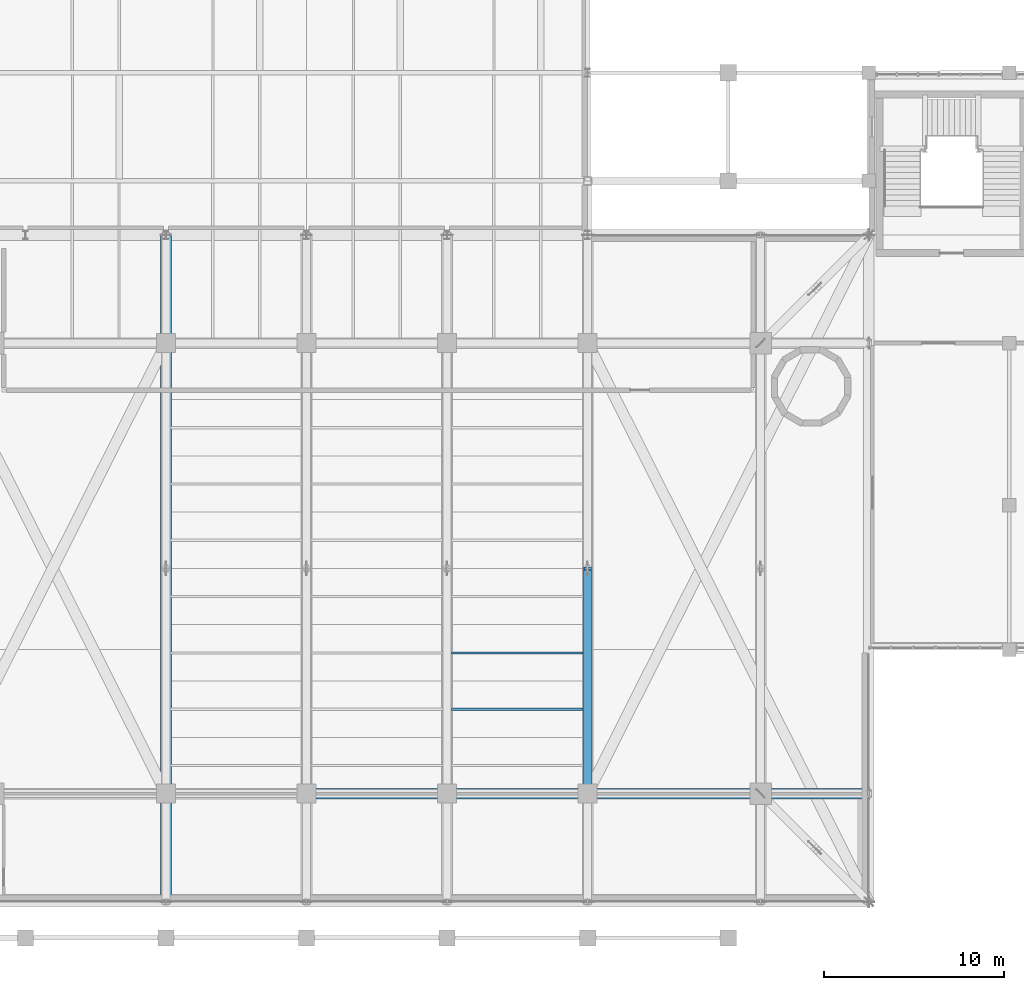
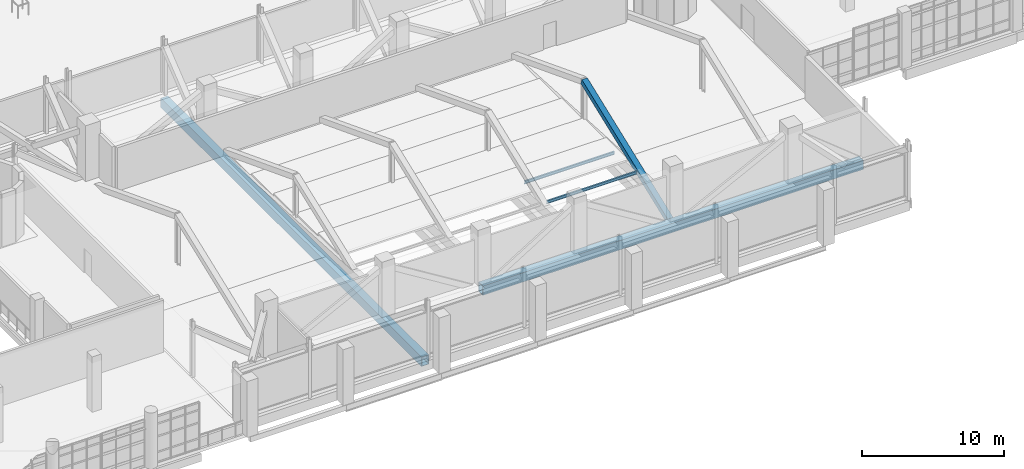
# One storey, part 43 of 127: 4 beams, 1 member.
"""IFC4 building model written with IfcOpenShell, lengths in metres."""

import ifcopenshell
import ifcopenshell.guid

model = None  # the IFC model being written
_history = None  # IfcOwnerHistory: only IFC2X3 demands one
_inside = {}  # id of a spatial element -> (the spatial element, [elements in it])
_under = {}  # id of a project, library or spatial element -> (it, [spatial elements below it])
_declared = {}  # id of a project -> (the project, [libraries it declares])
_typed = {}  # id of a type object -> (the type object, [elements of that type])
_made_of = {}  # id of a material, layer set ... -> (it, [elements and type objects made of it])


def new_model(schema):
    """Start an empty IFC model of exactly this schema.

    Asked for "IFC4X3", IfcOpenShell would pick the latest addendum, in which some entities
    have other attributes; the version numbers below select the first issue.
    IFC2X3 requires an IfcOwnerHistory on every rooted entity: one is made here for all.
    """
    global model, _history
    if schema == "IFC4X3":
        model = ifcopenshell.file(schema_version=(4, 3, 0, 0))
    else:
        model = ifcopenshell.file(schema=schema)
    _inside.clear()
    _under.clear()
    _declared.clear()
    _typed.clear()
    _made_of.clear()
    _history = None
    if model.schema == "IFC2X3":
        org = make("IfcOrganization", Name="unknown")
        user = make(
            "IfcPersonAndOrganization",
            ThePerson=make("IfcPerson", FamilyName="unknown"),
            TheOrganization=org,
        )
        app = make(
            "IfcApplication",
            ApplicationDeveloper=org,
            Version="unknown",
            ApplicationFullName="unknown",
            ApplicationIdentifier="unknown",
        )
        _history = make(
            "IfcOwnerHistory",
            OwningUser=user,
            OwningApplication=app,
            ChangeAction="ADDED",
            CreationDate=0,
        )
    return model


def make(cls, **values):
    """One entity of the class cls with the attributes given. An attribute that is None is left unset."""
    return model.create_entity(
        cls, **{name: value for name, value in values.items() if value is not None}
    )


def rooted(cls, **values):
    """An entity with a GlobalId (a new one), such as an element, a storey or a relation."""
    return make(cls, GlobalId=ifcopenshell.guid.new(), OwnerHistory=_history, **values)


def si_unit(unit_type, name, prefix=None):
    """IfcSIUnit, for example si_unit("LENGTHUNIT", "METRE", prefix="MILLI")."""
    return make("IfcSIUnit", UnitType=unit_type, Prefix=prefix, Name=name)


def derived_unit(unit_type, elements):
    """IfcDerivedUnit: a product of units, each with its exponent."""
    return make(
        "IfcDerivedUnit",
        Elements=[
            make("IfcDerivedUnitElement", Unit=unit, Exponent=power)
            for unit, power in elements
        ],
        UnitType=unit_type,
    )


def assignment(units):
    """IfcUnitAssignment: the units of a project."""
    return None if units is None else make("IfcUnitAssignment", Units=units)


def point(xyz):
    """IfcCartesianPoint."""
    return None if xyz is None else make("IfcCartesianPoint", Coordinates=xyz)


def direction(xyz):
    """IfcDirection."""
    return None if xyz is None else make("IfcDirection", DirectionRatios=xyz)


def frame(location, z_axis=None, x_axis=None):
    """IfcAxis2Placement3D, a coordinate frame: its origin and axes. An axis left out is left unset."""
    return make(
        "IfcAxis2Placement3D",
        Location=point(location),
        Axis=direction(z_axis),
        RefDirection=direction(x_axis),
    )


def frame_2d(location, x_axis=None):
    """IfcAxis2Placement2D, a coordinate frame in the plane: its origin and x axis."""
    return make(
        "IfcAxis2Placement2D", Location=point(location), RefDirection=direction(x_axis)
    )


def origin():
    """The frame at (0, 0, 0) with its axes left unset."""
    return frame((0.0, 0.0, 0.0))


def origin_2d():
    """The frame at (0, 0) in the plane with its x axis left unset."""
    return frame_2d((0.0, 0.0))


def place(relative_to, where):
    """IfcLocalPlacement: puts the frame where relative to a parent placement (None: the world)."""
    return make(
        "IfcLocalPlacement", PlacementRelTo=relative_to, RelativePlacement=where
    )


def context(
    kind, dimensions, precision=None, world=None, true_north=None, identifier=None
):
    """IfcGeometricRepresentationContext, for example the 3D "Model" context."""
    return make(
        "IfcGeometricRepresentationContext",
        ContextIdentifier=identifier,
        ContextType=kind,
        CoordinateSpaceDimension=dimensions,
        Precision=precision,
        WorldCoordinateSystem=world,
        TrueNorth=true_north,
    )


def subcontext(parent, identifier, kind, view, scale=None):
    """IfcGeometricRepresentationSubContext, for example "Body" below "Model"."""
    return make(
        "IfcGeometricRepresentationSubContext",
        ContextIdentifier=identifier,
        ContextType=kind,
        ParentContext=parent,
        TargetScale=scale,
        TargetView=view,
    )


def project(units=None, contexts=None):
    """IfcProject with its units and contexts."""
    return rooted(
        "IfcProject",
        Name="project",
        RepresentationContexts=contexts,
        UnitsInContext=assignment(units),
    )


def spatial(cls, under=None, at=None, **own):
    """A site, building, storey or space (cls), placed at a placement, below another one or the project."""
    s = rooted(cls, ObjectPlacement=at, **own)
    if under is not None:
        _under.setdefault(under.id(), (under, []))[1].append(s)
    return s


def profile(cls, at=None, kind="AREA", **sizes):
    """A parametric profile (cls). Its sizes go by their IFC names, for example OverallWidth=200.0."""
    return make(cls, ProfileType=kind, Position=at, **sizes)


def hollow_rectangle(**sizes):
    """IfcRectangleHollowProfileDef."""
    return profile("IfcRectangleHollowProfileDef", **sizes)


def i_section(**sizes):
    """IfcIShapeProfileDef."""
    return profile("IfcIShapeProfileDef", **sizes)


def extrude(swept, where, along, depth):
    """IfcExtrudedAreaSolid: the profile swept, set in the frame where, extruded along a direction by depth."""
    return make(
        "IfcExtrudedAreaSolid",
        SweptArea=swept,
        Position=where,
        ExtrudedDirection=direction(along),
        Depth=depth,
    )


def shape(context_of_items, identifier, shape_type, items):
    """IfcShapeRepresentation: the items that make up one representation, for example the "Body"."""
    return make(
        "IfcShapeRepresentation",
        ContextOfItems=context_of_items,
        RepresentationIdentifier=identifier,
        RepresentationType=shape_type,
        Items=items,
    )


def material(Name=None, Category=None):
    """IfcMaterial."""
    return make("IfcMaterial", Name=Name, Category=Category)


def material_profile(
    of_material, cross_section, Name=None, Category=None, Priority=None
):
    """IfcMaterialProfile: a cross section and its material."""
    return make(
        "IfcMaterialProfile",
        Name=Name,
        Material=of_material,
        Profile=cross_section,
        Priority=Priority,
        Category=Category,
    )


def profile_set(profiles, Name=None, composite=None):
    """IfcMaterialProfileSet."""
    return make(
        "IfcMaterialProfileSet",
        Name=Name,
        MaterialProfiles=profiles,
        CompositeProfile=composite,
    )


def made_of(thing, what):
    """Note that an element or type object is made of a material, layer set ...; save() writes the relation."""
    if what is not None:
        _made_of.setdefault(what.id(), (what, []))[1].append(thing)
    return thing


def type_object(cls, material=None, **own):
    """A type object (cls), such as IfcWallType, which elements share."""
    return made_of(rooted(cls, **own), material)


def element(
    cls,
    number,
    at=None,
    inside=None,
    cuts=None,
    type_object=None,
    material=None,
    context=None,
    identifier="Body",
    shape_type=None,
    held_by="IfcProductDefinitionShape",
    body=None,
    shapes=None,
    **own,
):
    """One element of the class cls, such as IfcWall. Its Tag is "e" and its number.

    at: its placement. inside: the storey or other place that contains it. cuts: it is an
    opening in that element (IfcRelVoidsElement). A single representation is given by context,
    identifier, shape_type and body (its items); several are given by shapes. held_by: the class
    of the entity that holds the representations. save() writes the other relations.
    """
    e = rooted(cls, Tag="e%d" % number, ObjectPlacement=at, **own)
    if body is not None:
        shapes = [shape(context, identifier, shape_type, body)]
    if shapes is not None:
        e.Representation = make(held_by, Representations=shapes)
    if inside is not None:
        _inside.setdefault(inside.id(), (inside, []))[1].append(e)
    if cuts is not None:
        rooted(
            "IfcRelVoidsElement", RelatingBuildingElement=cuts, RelatedOpeningElement=e
        )
    if type_object is not None:
        _typed.setdefault(type_object.id(), (type_object, []))[1].append(e)
    return made_of(e, material)


def aggregate(whole, parts):
    """IfcRelAggregates: a whole, such as a stair, and the parts it consists of."""
    return rooted("IfcRelAggregates", RelatingObject=whole, RelatedObjects=parts)


def save(model, path):
    """Write the relations noted so far, then the file.

    IfcRelAggregates (storeys below a building ...), IfcRelContainedInSpatialStructure (elements
    in a storey), IfcRelDefinesByType, IfcRelAssociatesMaterial and IfcRelDeclares: one each for
    every whole, place, type object, material and project.
    """
    for whole, parts in _under.values():
        aggregate(whole, parts)
    for where, things in _inside.values():
        rooted(
            "IfcRelContainedInSpatialStructure",
            RelatedElements=things,
            RelatingStructure=where,
        )
    for kind, things in _typed.values():
        rooted("IfcRelDefinesByType", RelatedObjects=things, RelatingType=kind)
    for what, things in _made_of.values():
        rooted("IfcRelAssociatesMaterial", RelatedObjects=things, RelatingMaterial=what)
    for by, libraries in _declared.values():
        rooted("IfcRelDeclares", RelatingContext=by, RelatedDefinitions=libraries)
    model.write(path)


model = new_model("IFC4")

# Units and contexts
model_context = context("Model", 3, precision=1e-05, world=origin(), true_north=direction((0.0, 1.0)))
body_context = subcontext(model_context, "Body", "Model", "MODEL_VIEW")
ifc_project = project(units=[si_unit("LENGTHUNIT", "METRE"), si_unit("AREAUNIT", "SQUARE_METRE"), si_unit("VOLUMEUNIT", "CUBIC_METRE"), si_unit("PLANEANGLEUNIT", "RADIAN"), si_unit("MASSUNIT", "GRAM", prefix="KILO"), derived_unit("THERMALTRANSMITTANCEUNIT", [(si_unit("POWERUNIT", "WATT"), 1), (si_unit("LENGTHUNIT", "METRE"), -2), (si_unit("THERMODYNAMICTEMPERATUREUNIT", "KELVIN"), -1)])], contexts=[model_context])

# Site, building, storey
site_placement = place(None, origin())
site = spatial("IfcSite", under=ifc_project, at=site_placement, CompositionType="ELEMENT")
building_placement = place(site_placement, origin())
building = spatial("IfcBuilding", under=site, at=building_placement, Name="Nallur Shell Playhouse", CompositionType="ELEMENT")
storey_placement = place(building_placement, frame((0.0, 0.0, 5.39990234375)))
storey = spatial("IfcBuildingStorey", under=building, at=storey_placement, Name="L02", CompositionType="ELEMENT", Elevation=5.39990234375)

# Beams
ifc_material_1 = material(Name="Steel E250", Category="steel")
ifc_material_profile_1 = material_profile(ifc_material_1, i_section(OverallWidth=0.125, OverallDepth=0.25, WebThickness=0.0068359375, FlangeThickness=0.012451171875, FilletRadius=0.012939453125, at=origin_2d()), Name="ISMB 250")
ifc_profile_set_1 = profile_set([ifc_material_profile_1], Name="Steel E250")
beam_type_1 = type_object("IfcBeamType", Name="BM-JST-ISMB250", PredefinedType="JOIST", material=ifc_profile_set_1)
for number, where, z_axis, x_axis, name in (
    (1, (95.447998046875, 23.8125, 0.885009765625), (1.0, 0.0, 0.0), (0.0, 1.0, 0.0), "Seating tier step bearer STALLS row 6 (95.2-103.0)"),
    (2, (95.447998046875, 20.6875, 1.085205078125), (1.0, 0.0, 0.0), (0.0, 1.0, 0.0), "Seating tier step bearer STALLS row 7 (95.2-103.0)"),
):
    element("IfcBeam", number, at=place(storey_placement, frame(where, z_axis=z_axis, x_axis=x_axis)), inside=storey, type_object=beam_type_1, Name=name, PredefinedType="JOIST", context=body_context, shape_type="SweptSolid", body=[
        extrude(i_section(OverallWidth=0.125, OverallDepth=0.25, WebThickness=0.0068359375, FlangeThickness=0.012451171875, FilletRadius=0.012939453125, at=origin_2d()), origin(), (0.0, 0.0, 1.0), 7.303955078125),
    ])
ifc_material_2 = material(Name="Steel E350", Category="steel")
ifc_material_profile_2 = material_profile(ifc_material_2, hollow_rectangle(XDim=0.60009765625, YDim=0.800048828125, WallThickness=0.02490234375, at=origin_2d()), Name="BOX 600x800x25")
ifc_profile_set_2 = profile_set([ifc_material_profile_2], Name="Steel E350")
beam_type_2 = type_object("IfcBeamType", Name="BM-TT-CHORD", PredefinedType="BEAM", material=ifc_profile_set_2)
beam_1_placement = place(storey_placement, frame((87.39990234375, 16.0, -0.679931640625), z_axis=(1.0, 0.0, 0.0), x_axis=(0.0, 1.0, 0.0)))
element("IfcBeam", 3, at=beam_1_placement, inside=storey, type_object=beam_type_2, Name="Transfer truss TT-1 bottom chord 2", PredefinedType="BEAM", context=body_context, shape_type="SweptSolid", body=[
    extrude(hollow_rectangle(XDim=0.60009765625, YDim=0.800048828125, WallThickness=0.02490234375, at=origin_2d()), origin(), (0.0, 0.0, 1.0), 30.902099609375),
])
beam_2_placement = place(storey_placement, frame((79.60009765625, 10.298095703125, -0.679931640625), z_axis=(0.0, 1.0, 0.0), x_axis=(-1.0, 0.0, 0.0)))
element("IfcBeam", 4, at=beam_2_placement, inside=storey, type_object=beam_type_2, Name="Transfer truss TT-4 bottom chord 1", PredefinedType="BEAM", context=body_context, shape_type="SweptSolid", body=[
    extrude(hollow_rectangle(XDim=0.60009765625, YDim=0.800048828125, WallThickness=0.02490234375, at=origin_2d()), origin(), (0.0, 0.0, 1.0), 36.701904296875),
])

# Member
ifc_material_profile_3 = material_profile(ifc_material_2, hollow_rectangle(XDim=0.449951171875, YDim=0.449951171875, WallThickness=0.02001953125, at=origin_2d()), Name="BOX 450x450x20")
ifc_profile_set_3 = profile_set([ifc_material_profile_3], Name="Steel E350")
member_type = type_object("IfcMemberType", Name="MB-TT-DIAG", PredefinedType="BRACE", material=ifc_profile_set_3)
member_placement = place(storey_placement, frame((103.0, 16.0, -0.679931640625), z_axis=(0.0, 0.933035744056, 0.359783685447), x_axis=(-1.0, 0.0, 0.0)))
element("IfcMember", 5, at=member_placement, inside=storey, type_object=member_type, Name="Transfer truss TT-7 diagonal 2", PredefinedType="BRACE", context=body_context, shape_type="SweptSolid", body=[
    extrude(hollow_rectangle(XDim=0.449951171875, YDim=0.449951171875, WallThickness=0.02001953125, at=origin_2d()), origin(), (0.0, 0.0, 1.0), 13.397216796875),
])

save(model, "model.ifc")
